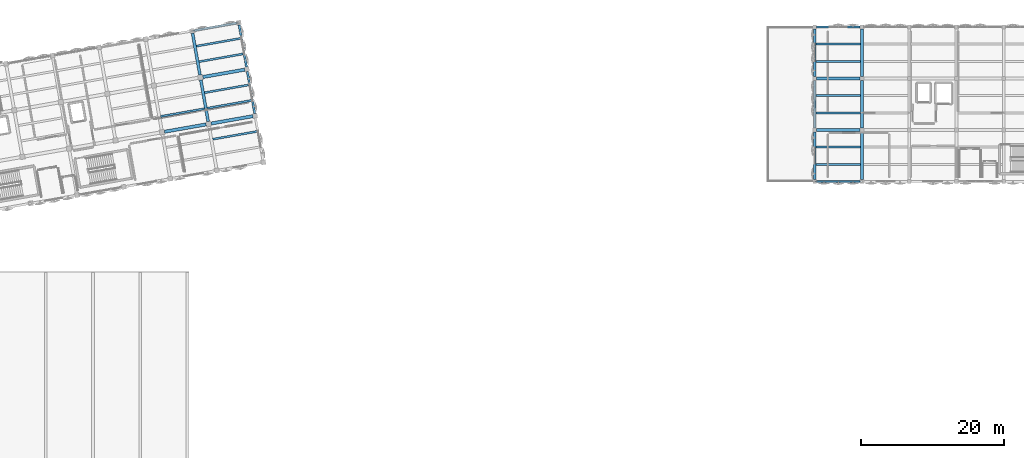
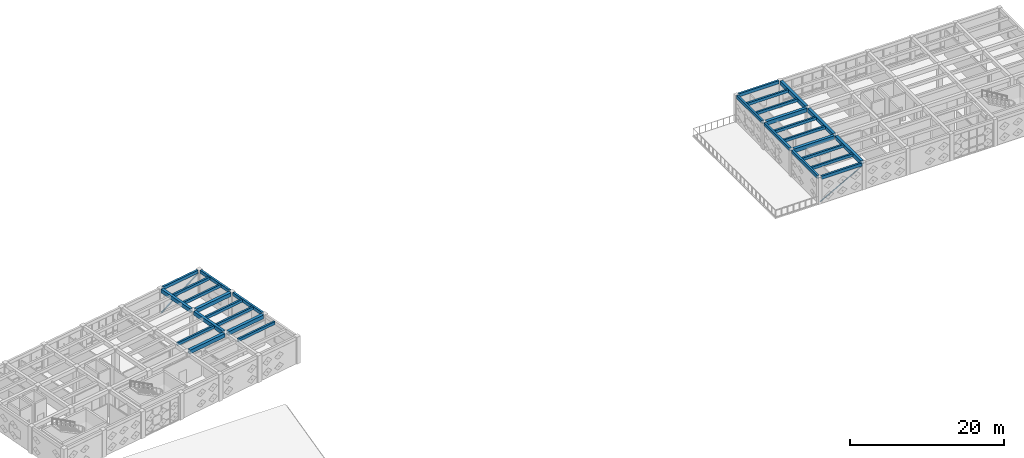
# One storey, part 10 of 39: 30 beams, 2 members.
"""IFC4 building model written with IfcOpenShell, lengths in metres."""

from ifc_helpers import new_model, si_unit, direction, frame, origin, origin_2d, place, context, subcontext, project, spatial, rectangle, hollow_rectangle, hollow_circle, extrude, material, material_profile, profile_set, type_object, element, save


model = new_model("IFC4")

# Units and contexts
model_context = context("Model", 3, precision=1e-05, world=origin(), true_north=direction((0.0, 1.0)))
body_context = subcontext(model_context, "Body", "Model", "MODEL_VIEW")
ifc_project = project(units=[si_unit("LENGTHUNIT", "METRE"), si_unit("AREAUNIT", "SQUARE_METRE"), si_unit("VOLUMEUNIT", "CUBIC_METRE"), si_unit("PLANEANGLEUNIT", "RADIAN"), si_unit("MASSUNIT", "GRAM", prefix="KILO")], contexts=[model_context])

# Site, building, storey
site_placement = place(None, origin())
site = spatial("IfcSite", under=ifc_project, at=site_placement, CompositionType="ELEMENT")
building_placement = place(site_placement, origin())
building = spatial("IfcBuilding", under=site, at=building_placement, Name="Kharisveld Research Institute", CompositionType="ELEMENT")
storey_placement = place(building_placement, frame((0.0, 0.0, 23.10009765625)))
storey = spatial("IfcBuildingStorey", under=building, at=storey_placement, Name="L05", CompositionType="ELEMENT", Elevation=23.10009765625)

# Beams
ifc_material_1 = material(Name="Concrete C40/50", Category="concrete")
ifc_material_profile_1 = material_profile(ifc_material_1, rectangle(XDim=0.39990234375, YDim=0.60009765625, at=origin_2d()))
ifc_profile_set_1 = profile_set([ifc_material_profile_1], Name="Concrete C40/50")
beam_type_1 = type_object("IfcBeamType", Name="BM_RC_400x600", PredefinedType="BEAM", material=ifc_profile_set_1)
beam_1_placement = place(storey_placement, frame((36.49169921875, 47.584716796875, 4.010009765625), z_axis=(-0.173624815763, 0.98481187206, 0.0), x_axis=(-0.98481187206, -0.173624815763, 0.0)))
element("IfcBeam", 1, at=beam_1_placement, inside=storey, type_object=beam_type_1, Name="BM:V1:L05:V5_1", PredefinedType="BEAM", context=body_context, shape_type="SweptSolid", body=[
    extrude(rectangle(XDim=0.39990234375, YDim=0.60009765625, at=origin_2d()), origin(), (0.0, 0.0, 1.0), 5.900146484375),
])
beam_2_placement = place(storey_placement, frame((35.345703125, 54.08447265625, 4.010009765625), z_axis=(-0.173639592071, 0.984809266846, 0.0), x_axis=(-0.984809266846, -0.173639592071, 0.0)))
element("IfcBeam", 2, at=beam_2_placement, inside=storey, type_object=beam_type_1, Name="BM:V1:L05:V5_2", PredefinedType="BEAM", context=body_context, shape_type="SweptSolid", body=[
    extrude(rectangle(XDim=0.39990234375, YDim=0.60009765625, at=origin_2d()), origin(), (0.0, 0.0, 1.0), 5.925048828125),
])
for number, where, z_axis, x_axis, name in (
    (3, (127.800048828125, 39.47509765625, 3.989990234375), (0.0, 1.0, 0.0), (-1.0, 0.0, 0.0), "BM:V2:L05:V2_0"),
    (4, (127.800048828125, 46.675048828125, 3.989990234375), (0.0, 1.0, 0.0), (-1.0, 0.0, 0.0), "BM:V2:L05:V2_1"),
    (5, (127.800048828125, 53.875, 3.989990234375), (0.0, 1.0, 0.0), (-1.0, 0.0, 0.0), "BM:V2:L05:V2_2"),
):
    element("IfcBeam", number, at=place(storey_placement, frame(where, z_axis=z_axis, x_axis=x_axis)), inside=storey, type_object=beam_type_1, Name=name, PredefinedType="BEAM", context=body_context, shape_type="SweptSolid", body=[
        extrude(rectangle(XDim=0.39990234375, YDim=0.60009765625, at=origin_2d()), origin(), (0.0, 0.0, 1.0), 6.64990234375),
    ])
ifc_material_2 = material(Name="Concrete C40/50", Category="concrete")
ifc_material_profile_2 = material_profile(ifc_material_2, rectangle(XDim=0.449951171875, YDim=0.60009765625, at=origin_2d()))
ifc_profile_set_2 = profile_set([ifc_material_profile_2], Name="Concrete C40/50")
beam_type_2 = type_object("IfcBeamType", Name="BM_RC_450x600", PredefinedType="BEAM", material=ifc_profile_set_2)
beam_3_placement = place(storey_placement, frame((30.3974609375, 46.15478515625, 4.010009765625), z_axis=(0.98480479605, 0.173664946598, 0.0), x_axis=(-0.173664946598, 0.98480479605, 0.0)))
element("IfcBeam", 6, at=beam_3_placement, inside=storey, type_object=beam_type_2, Name="BM:V1:L05:U4_1", PredefinedType="BEAM", context=body_context, shape_type="SweptSolid", body=[
    extrude(rectangle(XDim=0.449951171875, YDim=0.60009765625, at=origin_2d()), origin(), (0.0, 0.0, 1.0), 5.900146484375),
])
for number, where, z_axis, x_axis, name in (
    (7, (36.897216796875, 47.30078125, 4.010009765625), (0.984802219883, 0.173679554678, 0.0), (-0.173679554678, 0.984802219883, 0.0), "BM:V1:L05:U5_1"),
    (8, (35.751220703125, 53.800537109375, 4.010009765625), (0.984802219883, 0.173679554678, 0.0), (-0.173679554678, 0.984802219883, 0.0), "BM:V1:L05:U5_2"),
):
    element("IfcBeam", number, at=place(storey_placement, frame(where, z_axis=z_axis, x_axis=x_axis)), inside=storey, type_object=beam_type_2, Name=name, PredefinedType="BEAM", context=body_context, shape_type="SweptSolid", body=[
        extrude(rectangle(XDim=0.449951171875, YDim=0.60009765625, at=origin_2d()), origin(), (0.0, 0.0, 1.0), 5.925048828125),
    ])
for number, where, z_axis, x_axis, name in (
    (9, (121.47509765625, 46.39990234375, 3.989990234375), (1.0, 0.0, 0.0), (0.0, 1.0, 0.0), "BM:V2:L05:U1_1"),
    (10, (121.47509765625, 53.60009765625, 3.989990234375), (1.0, 0.0, 0.0), (0.0, 1.0, 0.0), "BM:V2:L05:U1_2"),
):
    element("IfcBeam", number, at=place(storey_placement, frame(where, z_axis=z_axis, x_axis=x_axis)), inside=storey, type_object=beam_type_2, Name=name, PredefinedType="BEAM", context=body_context, shape_type="SweptSolid", body=[
        extrude(rectangle(XDim=0.449951171875, YDim=0.60009765625, at=origin_2d()), origin(), (0.0, 0.0, 1.0), 6.0498046875),
    ])

# Members
ifc_material_3 = material(Name="Steel S355J2H", Category="steel")
ifc_material_profile_3 = material_profile(ifc_material_3, hollow_circle(Radius=0.084228515625, WallThickness=0.008056640625, at=origin_2d()))
ifc_profile_set_3 = profile_set([ifc_material_profile_3], Name="Steel S355J2H")
member_type_1 = type_object("IfcMemberType", Name="BR_CHS168", PredefinedType="BRACE", material=ifc_profile_set_3)
member_1_placement = place(storey_placement, frame((121.300048828125, 39.199951171875, 0.199951171875), z_axis=(0.875053295182, 0.0, 0.484026580459), x_axis=(0.0, 1.0, 0.0)))
element("IfcMember", 11, at=member_1_placement, inside=storey, type_object=member_type_1, Name="MEM:V2:L05:BR_1_0", PredefinedType="BRACE", context=body_context, shape_type="SweptSolid", body=[
    extrude(hollow_circle(Radius=0.084228515625, WallThickness=0.008056640625, at=origin_2d()), origin(), (0.0, 0.0, 1.0), 7.313720703125),
])
ifc_material_4 = material(Name="Steel S355J2H", Category="steel")
ifc_material_profile_4 = material_profile(ifc_material_4, hollow_rectangle(XDim=0.14990234375, YDim=0.14990234375, WallThickness=0.008056640625, at=origin_2d()))
ifc_profile_set_4 = profile_set([ifc_material_profile_4], Name="Steel S355J2H")
member_type_2 = type_object("IfcMemberType", Name="BR_SHS150", PredefinedType="BRACE", material=ifc_profile_set_4)
member_2_placement = place(storey_placement, frame((34.35888671875, 60.2568359375, 0.199951171875), z_axis=(0.860614431418, 0.151780969408, 0.486112474393), x_axis=(-0.173683053068, 0.984801602901, 0.0)))
element("IfcMember", 12, at=member_2_placement, inside=storey, type_object=member_type_2, Name="MEM:V1:L05:BR_5_3", PredefinedType="BRACE", context=body_context, shape_type="SweptSolid", body=[
    extrude(hollow_rectangle(XDim=0.14990234375, YDim=0.14990234375, WallThickness=0.008056640625, at=origin_2d()), origin(), (0.0, 0.0, 1.0), 7.323486328125),
])

# Beams
ifc_material_5 = material(Name="Concrete C40/50", Category="concrete")
ifc_material_profile_5 = material_profile(ifc_material_5, rectangle(XDim=0.300048828125, YDim=0.5, at=origin_2d()))
ifc_profile_set_5 = profile_set([ifc_material_profile_5], Name="Concrete C40/50")
beam_type_3 = type_object("IfcBeamType", Name="SP_RC_300x500", PredefinedType="SPANDREL", material=ifc_profile_set_5)
for number, where, z_axis, x_axis, name in (
    (13, (34.58056640625, 60.2958984375, 4.059814453125), (0.984800902868, 0.173687022284, 0.0), (-0.173687022284, 0.984800902868, 0.0), "BM:V1:L05:U5_3"),
    (14, (42.995849609375, 48.706298828125, 4.059814453125), (-0.173647228007, 0.984807920462, 0.0), (-0.984807920462, -0.173647228007, 0.0), "BM:V1:L05:V6_1"),
    (15, (41.849853515625, 55.2060546875, 4.059814453125), (-0.173647228007, 0.984807920462, 0.0), (-0.984807920462, -0.173647228007, 0.0), "BM:V1:L05:V6_2"),
):
    element("IfcBeam", number, at=place(storey_placement, frame(where, z_axis=z_axis, x_axis=x_axis)), inside=storey, type_object=beam_type_3, Name=name, PredefinedType="SPANDREL", context=body_context, shape_type="SweptSolid", body=[
        extrude(rectangle(XDim=0.300048828125, YDim=0.5, at=origin_2d()), origin(), (0.0, 0.0, 1.0), 5.949951171875),
    ])
for number, where, z_axis, x_axis, name in (
    (16, (121.47509765625, 39.199951171875, 4.039794921875), (1.0, 0.0, 0.0), (0.0, 1.0, 0.0), "BM:V2:L05:U1_0"),
    (17, (121.47509765625, 60.800048828125, 4.039794921875), (1.0, 0.0, 0.0), (0.0, 1.0, 0.0), "BM:V2:L05:U1_3"),
):
    element("IfcBeam", number, at=place(storey_placement, frame(where, z_axis=z_axis, x_axis=x_axis)), inside=storey, type_object=beam_type_3, Name=name, PredefinedType="SPANDREL", context=body_context, shape_type="SweptSolid", body=[
        extrude(rectangle(XDim=0.300048828125, YDim=0.5, at=origin_2d()), origin(), (0.0, 0.0, 1.0), 6.0498046875),
    ])
for number, where, z_axis, x_axis, name in (
    (18, (121.199951171875, 39.47509765625, 4.039794921875), (0.0, 1.0, 0.0), (-1.0, 0.0, 0.0), "BM:V2:L05:V1_0"),
    (19, (121.199951171875, 46.675048828125, 4.039794921875), (0.0, 1.0, 0.0), (-1.0, 0.0, 0.0), "BM:V2:L05:V1_1"),
    (20, (121.199951171875, 53.875, 4.039794921875), (0.0, 1.0, 0.0), (-1.0, 0.0, 0.0), "BM:V2:L05:V1_2"),
):
    element("IfcBeam", number, at=place(storey_placement, frame(where, z_axis=z_axis, x_axis=x_axis)), inside=storey, type_object=beam_type_3, Name=name, PredefinedType="SPANDREL", context=body_context, shape_type="SweptSolid", body=[
        extrude(rectangle(XDim=0.300048828125, YDim=0.5, at=origin_2d()), origin(), (0.0, 0.0, 1.0), 6.64990234375),
    ])
ifc_material_6 = material(Name="Concrete C40/50", Category="concrete")
ifc_material_profile_6 = material_profile(ifc_material_6, rectangle(XDim=0.280029296875, YDim=0.449951171875, at=origin_2d()))
ifc_profile_set_6 = profile_set([ifc_material_profile_6], Name="Concrete C40/50")
beam_type_4 = type_object("IfcBeamType", Name="WB_RC_280x450", PredefinedType="JOIST", material=ifc_profile_set_6)
beam_4_placement = place(storey_placement, frame((29.86767578125, 48.29541015625, 4.0849609375), z_axis=(0.984807334084, 0.173650553511, 0.0), x_axis=(-0.173650553511, 0.984807334084, 0.0)))
element("IfcBeam", 21, at=beam_4_placement, inside=storey, type_object=beam_type_4, Name="BM:V1:L05:J_4_1_R1", PredefinedType="JOIST", context=body_context, shape_type="SweptSolid", body=[
    extrude(rectangle(XDim=0.280029296875, YDim=0.449951171875, at=origin_2d()), origin(), (0.0, 0.0, 1.0), 6.2001953125),
])
for number, where, z_axis, x_axis, name in (
    (22, (37.131591796875, 45.108154296875, 4.0849609375), (0.984803607817, 0.173671684596, 0.0), (-0.173671684596, 0.984803607817, 0.0), "BM:V1:L05:J_5_0_R2"),
    (23, (36.367431640625, 49.44140625, 4.0849609375), (0.984810288083, 0.17363379995, 0.0), (-0.17363379995, 0.984810288083, 0.0), "BM:V1:L05:J_5_1_R1"),
    (24, (35.985595703125, 51.60791015625, 4.0849609375), (0.984803607817, 0.173671684596, 0.0), (-0.173671684596, 0.984803607817, 0.0), "BM:V1:L05:J_5_1_R2"),
    (25, (35.221435546875, 55.941162109375, 4.0849609375), (0.984810288083, 0.17363379995, 0.0), (-0.17363379995, 0.984810288083, 0.0), "BM:V1:L05:J_5_2_R1"),
    (26, (34.83935546875, 58.107666015625, 4.0849609375), (0.984803607817, 0.173671684596, 0.0), (-0.173671684596, 0.984803607817, 0.0), "BM:V1:L05:J_5_2_R2"),
    (27, (121.35009765625, 41.60009765625, 4.06494140625), (1.0, 0.0, 0.0), (0.0, 1.0, 0.0), "BM:V2:L05:J_1_0_R1"),
    (28, (121.35009765625, 44.0, 4.06494140625), (1.0, 0.0, 0.0), (0.0, 1.0, 0.0), "BM:V2:L05:J_1_0_R2"),
    (29, (121.35009765625, 48.800048828125, 4.06494140625), (1.0, 0.0, 0.0), (0.0, 1.0, 0.0), "BM:V2:L05:J_1_1_R1"),
    (30, (121.35009765625, 51.199951171875, 4.06494140625), (1.0, 0.0, 0.0), (0.0, 1.0, 0.0), "BM:V2:L05:J_1_1_R2"),
    (31, (121.35009765625, 56.0, 4.06494140625), (1.0, 0.0, 0.0), (0.0, 1.0, 0.0), "BM:V2:L05:J_1_2_R1"),
    (32, (121.35009765625, 58.39990234375, 4.06494140625), (1.0, 0.0, 0.0), (0.0, 1.0, 0.0), "BM:V2:L05:J_1_2_R2"),
):
    element("IfcBeam", number, at=place(storey_placement, frame(where, z_axis=z_axis, x_axis=x_axis)), inside=storey, type_object=beam_type_4, Name=name, PredefinedType="JOIST", context=body_context, shape_type="SweptSolid", body=[
        extrude(rectangle(XDim=0.280029296875, YDim=0.449951171875, at=origin_2d()), origin(), (0.0, 0.0, 1.0), 6.25),
    ])

save(model, "model.ifc")
